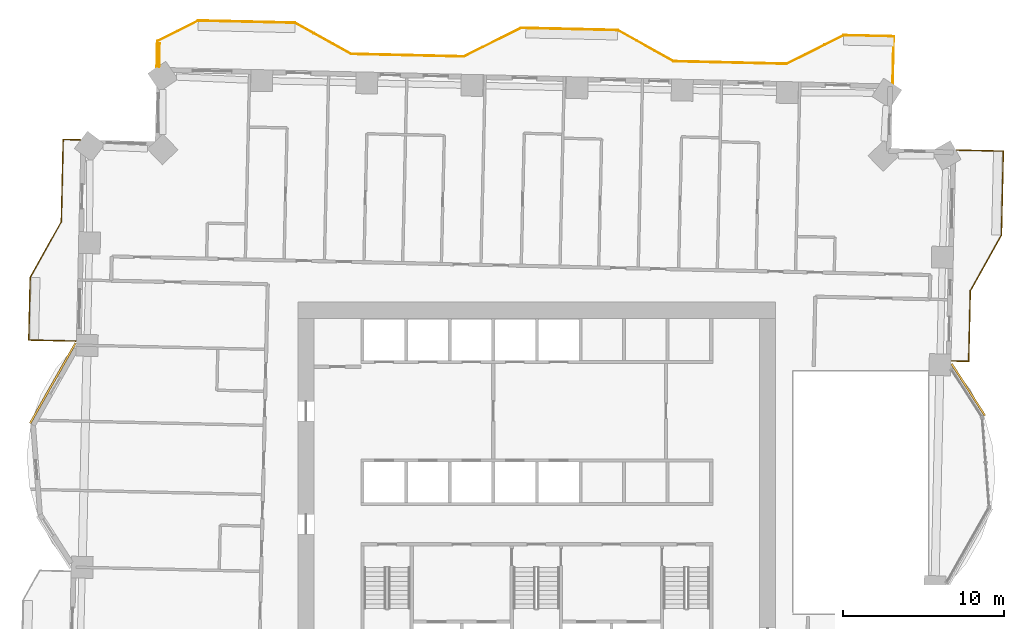
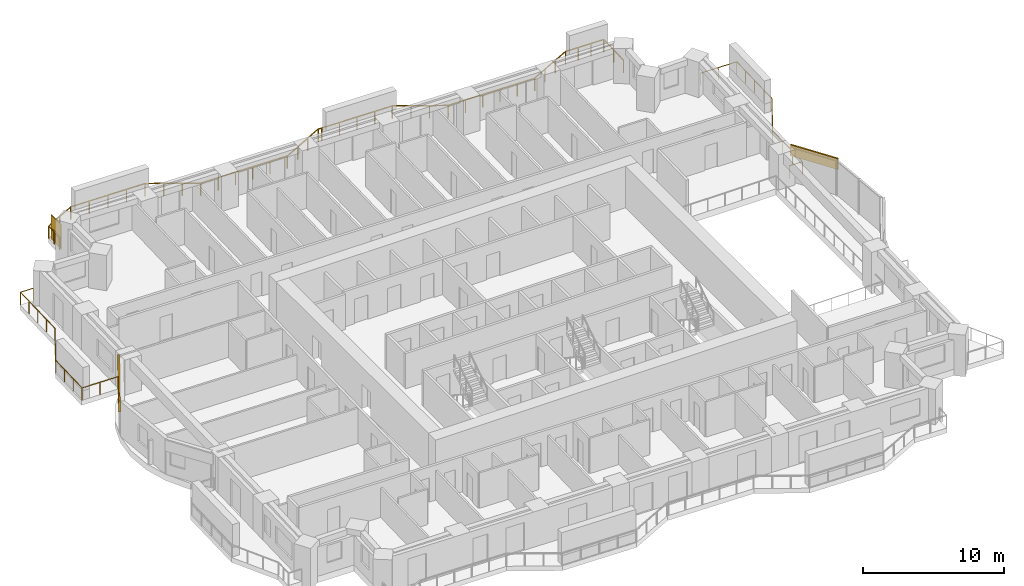
# One storey, part 16 of 16: 3 railings, 2 coverings, 1 shading device.
"""IFC4 building model written with IfcOpenShell, lengths in metres."""

from ifc_helpers import new_model, si_unit, direction, frame, frame_2d, origin, origin_2d, place, context, subcontext, project, spatial, rectangle, extrude, material, layer, layer_set, type_object, element, save


model = new_model("IFC4")

# Units and contexts
model_context = context("Model", 3, precision=1e-05, world=origin(), true_north=direction((0.0, 1.0)))
body_context = subcontext(model_context, "Body", "Model", "MODEL_VIEW")
ifc_project = project(units=[si_unit("LENGTHUNIT", "METRE"), si_unit("AREAUNIT", "SQUARE_METRE"), si_unit("VOLUMEUNIT", "CUBIC_METRE"), si_unit("PLANEANGLEUNIT", "RADIAN"), si_unit("MASSUNIT", "GRAM", prefix="KILO")], contexts=[model_context])

# Site, building, storey
site_placement = place(None, origin())
site = spatial("IfcSite", under=ifc_project, at=site_placement, CompositionType="ELEMENT")
building_placement = place(site_placement, origin())
building = spatial("IfcBuilding", under=site, at=building_placement, Name="Mangrove Gate Tower", CompositionType="ELEMENT")
storey_placement = place(building_placement, frame((0.0, 0.0, 116.300048828125)))
storey = spatial("IfcBuildingStorey", under=building, at=storey_placement, Name="L29", CompositionType="ELEMENT", Elevation=116.300048828125)

# Railings
ifc_material_1 = material(Name="Stainless steel grade 316 with laminated glass infill", Category="steel")
railing_type = type_object("IfcRailingType", Name="Balcony guard 1100", PredefinedType="GUARDRAIL", material=ifc_material_1)
railing_1_placement = place(storey_placement, frame((25.698974609375, 8.157958984375, 0.0)))
element("IfcRailing", 1, at=railing_1_placement, inside=storey, type_object=railing_type, Name="GUARD L29 E2", PredefinedType="GUARDRAIL", context=body_context, shape_type="SweptSolid", body=[
    extrude(rectangle(XDim=0.048095703125, YDim=0.048095703125, at=origin_2d()), frame((0.0, 0.0, 1.076171875), z_axis=(0.999744919731, -0.022585293253, 0.0), x_axis=(0.022585293253, 0.999744919731, 0.0)), (0.0, 0.0, 1.0), 1.059326171875),
    extrude(rectangle(XDim=0.048095703125, YDim=0.048095703125, at=origin_2d()), frame((1.05908203125, -0.02392578125, 1.076171875), z_axis=(0.022827904112, 0.999739409443, 0.0), x_axis=(-0.999739409443, 0.022827904112, 0.0)), (0.0, 0.0, 1.0), 4.374267578125),
    extrude(rectangle(XDim=0.048095703125, YDim=0.048095703125, at=origin_2d()), frame((1.158935546875, 4.34912109375, 1.076171875), z_axis=(0.487307108654, 0.873230657876, 0.0), x_axis=(-0.873230657876, 0.487307108654, 0.0)), (0.0, 0.0, 1.0), 3.958984375),
    extrude(rectangle(XDim=0.048095703125, YDim=0.048095703125, at=origin_2d()), frame((3.088134765625, 7.80615234375, 1.076171875), z_axis=(0.022675548694, 0.99974287669, 0.0), x_axis=(-0.99974287669, 0.022675548694, 0.0)), (0.0, 0.0, 1.0), 5.2001953125),
    extrude(rectangle(XDim=0.048095703125, YDim=0.048095703125, at=origin_2d()), frame((3.2060546875, 13.005126953125, 1.076171875), z_axis=(-0.999743521605, 0.022647097142, 0.0), x_axis=(-0.022647097142, -0.999743521605, 0.0)), (0.0, 0.0, 1.0), 2.91064453125),
    extrude(rectangle(XDim=0.0419921875, YDim=0.0419921875, at=origin_2d()), origin(), (0.0, 0.0, 1.0), 1.052001953125),
    extrude(rectangle(XDim=0.0419921875, YDim=0.0419921875, at=origin_2d()), frame((1.05908203125, -0.02392578125, 0.0)), (0.0, 0.0, 1.0), 1.052001953125),
    extrude(rectangle(XDim=0.0419921875, YDim=0.0419921875, at=origin_2d()), frame((1.09228515625, 1.433837890625, 0.0)), (0.0, 0.0, 1.0), 1.052001953125),
    extrude(rectangle(XDim=0.0419921875, YDim=0.0419921875, at=origin_2d()), frame((1.125732421875, 2.891357421875, 0.0)), (0.0, 0.0, 1.0), 1.052001953125),
    extrude(rectangle(XDim=0.0419921875, YDim=0.0419921875, at=origin_2d()), frame((1.158935546875, 4.34912109375, 0.0)), (0.0, 0.0, 1.0), 1.052001953125),
    extrude(rectangle(XDim=0.0419921875, YDim=0.0419921875, at=origin_2d()), frame((1.802001953125, 5.50146484375, 0.0)), (0.0, 0.0, 1.0), 1.052001953125),
    extrude(rectangle(XDim=0.0419921875, YDim=0.0419921875, at=origin_2d()), frame((2.445068359375, 6.65380859375, 0.0)), (0.0, 0.0, 1.0), 1.052001953125),
    extrude(rectangle(XDim=0.0419921875, YDim=0.0419921875, at=origin_2d()), frame((3.088134765625, 7.80615234375, 0.0)), (0.0, 0.0, 1.0), 1.052001953125),
    extrude(rectangle(XDim=0.0419921875, YDim=0.0419921875, at=origin_2d()), frame((3.11767578125, 9.10595703125, 0.0)), (0.0, 0.0, 1.0), 1.052001953125),
    extrude(rectangle(XDim=0.0419921875, YDim=0.0419921875, at=origin_2d()), frame((3.14697265625, 10.40576171875, 0.0)), (0.0, 0.0, 1.0), 1.052001953125),
    extrude(rectangle(XDim=0.0419921875, YDim=0.0419921875, at=origin_2d()), frame((3.176513671875, 11.705322265625, 0.0)), (0.0, 0.0, 1.0), 1.052001953125),
    extrude(rectangle(XDim=0.0419921875, YDim=0.0419921875, at=origin_2d()), frame((3.2060546875, 13.005126953125, 0.0)), (0.0, 0.0, 1.0), 1.052001953125),
    extrude(rectangle(XDim=0.0419921875, YDim=0.0419921875, at=origin_2d()), frame((1.7509765625, 13.0380859375, 0.0)), (0.0, 0.0, 1.0), 1.052001953125),
    extrude(rectangle(XDim=0.0419921875, YDim=0.0419921875, at=origin_2d()), frame((0.296142578125, 13.071044921875, 0.0)), (0.0, 0.0, 1.0), 1.052001953125),
])
railing_2_placement = place(storey_placement, frame((22.048095703125, 25.360107421875, 0.0)))
element("IfcRailing", 2, at=railing_2_placement, inside=storey, type_object=railing_type, Name="GUARD L29 N1", PredefinedType="GUARDRAIL", context=body_context, shape_type="SweptSolid", body=[
    extrude(rectangle(XDim=0.048095703125, YDim=0.048095703125, at=origin_2d()), frame((0.0, 0.0, 1.076171875), z_axis=(0.022654696127, 0.999743349437, 0.0), x_axis=(-0.999743349437, 0.022654696127, 0.0)), (0.0, 0.0, 1.0), 2.90966796875),
    extrude(rectangle(XDim=0.048095703125, YDim=0.048095703125, at=origin_2d()), frame((0.06591796875, 2.908935546875, 1.076171875), z_axis=(-0.999745154684, 0.02257489059, 0.0), x_axis=(-0.02257489059, -0.999745154684, 0.0)), (0.0, 0.0, 1.0), 3.103759765625),
    extrude(rectangle(XDim=0.048095703125, YDim=0.048095703125, at=origin_2d()), frame((-3.037109375, 2.97900390625, 1.076171875), z_axis=(-0.894476522376, -0.447114919141, 0.0), x_axis=(0.447114919141, -0.894476522376, 0.0)), (0.0, 0.0, 1.0), 3.958740234375),
    extrude(rectangle(XDim=0.048095703125, YDim=0.048095703125, at=origin_2d()), frame((-6.578125, 1.208984375, 1.076171875), z_axis=(-0.999742267452, 0.022702393474, 0.0), x_axis=(-0.022702393474, -0.999742267452, 0.0)), (0.0, 0.0, 1.0), 7.000732421875),
    extrude(rectangle(XDim=0.048095703125, YDim=0.048095703125, at=origin_2d()), frame((-13.5771484375, 1.367919921875, 1.076171875), z_axis=(-0.87325689943, 0.48726008209, 0.0), x_axis=(-0.48726008209, -0.87325689943, 0.0)), (0.0, 0.0, 1.0), 3.958740234375),
    extrude(rectangle(XDim=0.048095703125, YDim=0.048095703125, at=origin_2d()), frame((-17.0341796875, 3.296875, 1.076171875), z_axis=(-0.999744196375, 0.022617290187, 0.0), x_axis=(-0.022617290187, -0.999744196375, 0.0)), (0.0, 0.0, 1.0), 5.699462890625),
    extrude(rectangle(XDim=0.048095703125, YDim=0.048095703125, at=origin_2d()), frame((-22.732177734375, 3.42578125, 1.076171875), z_axis=(-0.999721267469, 0.023609052733, 0.0), x_axis=(-0.023609052733, -0.999721267469, 0.0)), (0.0, 0.0, 1.0), 0.2998046875),
    extrude(rectangle(XDim=0.048095703125, YDim=0.048095703125, at=origin_2d()), frame((-23.031982421875, 3.432861328125, 1.076171875), z_axis=(-0.894476522376, -0.447114919141, 0.0), x_axis=(0.447114919141, -0.894476522376, 0.0)), (0.0, 0.0, 1.0), 3.958740234375),
    extrude(rectangle(XDim=0.048095703125, YDim=0.048095703125, at=origin_2d()), frame((-26.572998046875, 1.662841796875, 1.076171875), z_axis=(-0.999742195543, 0.022705559911, 0.0), x_axis=(-0.022705559911, -0.999742195543, 0.0)), (0.0, 0.0, 1.0), 6.999755859375),
    extrude(rectangle(XDim=0.048095703125, YDim=0.048095703125, at=origin_2d()), frame((-33.571044921875, 1.82177734375, 1.076171875), z_axis=(-0.873289216505, 0.487202159618, 0.0), x_axis=(-0.487202159618, -0.873289216505, 0.0)), (0.0, 0.0, 1.0), 3.959716796875),
    extrude(rectangle(XDim=0.048095703125, YDim=0.048095703125, at=origin_2d()), frame((-37.029052734375, 3.7509765625, 1.076171875), z_axis=(-0.999743094499, 0.022665943652, 0.0), x_axis=(-0.022665943652, -0.999743094499, 0.0)), (0.0, 0.0, 1.0), 5.99951171875),
    extrude(rectangle(XDim=0.048095703125, YDim=0.048095703125, at=origin_2d()), frame((-43.027099609375, 3.886962890625, 1.076171875), z_axis=(-0.894340972845, -0.447385990271, 0.0), x_axis=(0.447385990271, -0.894340972845, 0.0)), (0.0, 0.0, 1.0), 2.832275390625),
    extrude(rectangle(XDim=0.048095703125, YDim=0.048095703125, at=origin_2d()), frame((-45.56005859375, 2.619873046875, 1.076171875), z_axis=(-0.022777340407, -0.999740562728, 0.0), x_axis=(0.999740562728, -0.022777340407, 0.0)), (0.0, 0.0, 1.0), 1.58642578125),
    extrude(rectangle(XDim=0.0419921875, YDim=0.0419921875, at=origin_2d()), origin(), (0.0, 0.0, 1.0), 1.052001953125),
    extrude(rectangle(XDim=0.0419921875, YDim=0.0419921875, at=origin_2d()), frame((0.032958984375, 1.45458984375, 0.0)), (0.0, 0.0, 1.0), 1.052001953125),
    extrude(rectangle(XDim=0.0419921875, YDim=0.0419921875, at=origin_2d()), frame((0.06591796875, 2.908935546875, 0.0)), (0.0, 0.0, 1.0), 1.052001953125),
    extrude(rectangle(XDim=0.0419921875, YDim=0.0419921875, at=origin_2d()), frame((-0.968505859375, 2.932373046875, 0.0)), (0.0, 0.0, 1.0), 1.052001953125),
    extrude(rectangle(XDim=0.0419921875, YDim=0.0419921875, at=origin_2d()), frame((-2.002685546875, 2.95556640625, 0.0)), (0.0, 0.0, 1.0), 1.052001953125),
    extrude(rectangle(XDim=0.0419921875, YDim=0.0419921875, at=origin_2d()), frame((-3.037109375, 2.97900390625, 0.0)), (0.0, 0.0, 1.0), 1.052001953125),
    extrude(rectangle(XDim=0.0419921875, YDim=0.0419921875, at=origin_2d()), frame((-4.217529296875, 2.388916015625, 0.0)), (0.0, 0.0, 1.0), 1.052001953125),
    extrude(rectangle(XDim=0.0419921875, YDim=0.0419921875, at=origin_2d()), frame((-5.397705078125, 1.799072265625, 0.0)), (0.0, 0.0, 1.0), 1.052001953125),
    extrude(rectangle(XDim=0.0419921875, YDim=0.0419921875, at=origin_2d()), frame((-6.578125, 1.208984375, 0.0)), (0.0, 0.0, 1.0), 1.052001953125),
    extrude(rectangle(XDim=0.0419921875, YDim=0.0419921875, at=origin_2d()), frame((-7.97802734375, 1.24072265625, 0.0)), (0.0, 0.0, 1.0), 1.052001953125),
    extrude(rectangle(XDim=0.0419921875, YDim=0.0419921875, at=origin_2d()), frame((-9.377685546875, 1.2724609375, 0.0)), (0.0, 0.0, 1.0), 1.052001953125),
    extrude(rectangle(XDim=0.0419921875, YDim=0.0419921875, at=origin_2d()), frame((-10.777587890625, 1.304443359375, 0.0)), (0.0, 0.0, 1.0), 1.052001953125),
    extrude(rectangle(XDim=0.0419921875, YDim=0.0419921875, at=origin_2d()), frame((-12.17724609375, 1.336181640625, 0.0)), (0.0, 0.0, 1.0), 1.052001953125),
    extrude(rectangle(XDim=0.0419921875, YDim=0.0419921875, at=origin_2d()), frame((-13.5771484375, 1.367919921875, 0.0)), (0.0, 0.0, 1.0), 1.052001953125),
    extrude(rectangle(XDim=0.0419921875, YDim=0.0419921875, at=origin_2d()), frame((-14.7294921875, 2.010986328125, 0.0)), (0.0, 0.0, 1.0), 1.052001953125),
    extrude(rectangle(XDim=0.0419921875, YDim=0.0419921875, at=origin_2d()), frame((-15.8818359375, 2.65380859375, 0.0)), (0.0, 0.0, 1.0), 1.052001953125),
    extrude(rectangle(XDim=0.0419921875, YDim=0.0419921875, at=origin_2d()), frame((-17.0341796875, 3.296875, 0.0)), (0.0, 0.0, 1.0), 1.052001953125),
    extrude(rectangle(XDim=0.0419921875, YDim=0.0419921875, at=origin_2d()), frame((-18.458740234375, 3.3291015625, 0.0)), (0.0, 0.0, 1.0), 1.052001953125),
    extrude(rectangle(XDim=0.0419921875, YDim=0.0419921875, at=origin_2d()), frame((-19.88330078125, 3.361328125, 0.0)), (0.0, 0.0, 1.0), 1.052001953125),
    extrude(rectangle(XDim=0.0419921875, YDim=0.0419921875, at=origin_2d()), frame((-21.3076171875, 3.3935546875, 0.0)), (0.0, 0.0, 1.0), 1.052001953125),
    extrude(rectangle(XDim=0.0419921875, YDim=0.0419921875, at=origin_2d()), frame((-22.732177734375, 3.42578125, 0.0)), (0.0, 0.0, 1.0), 1.052001953125),
    extrude(rectangle(XDim=0.0419921875, YDim=0.0419921875, at=origin_2d()), frame((-23.031982421875, 3.432861328125, 0.0)), (0.0, 0.0, 1.0), 1.052001953125),
    extrude(rectangle(XDim=0.0419921875, YDim=0.0419921875, at=origin_2d()), frame((-24.21240234375, 2.8427734375, 0.0)), (0.0, 0.0, 1.0), 1.052001953125),
    extrude(rectangle(XDim=0.0419921875, YDim=0.0419921875, at=origin_2d()), frame((-25.392578125, 2.2529296875, 0.0)), (0.0, 0.0, 1.0), 1.052001953125),
    extrude(rectangle(XDim=0.0419921875, YDim=0.0419921875, at=origin_2d()), frame((-26.572998046875, 1.662841796875, 0.0)), (0.0, 0.0, 1.0), 1.052001953125),
    extrude(rectangle(XDim=0.0419921875, YDim=0.0419921875, at=origin_2d()), frame((-27.97265625, 1.694580078125, 0.0)), (0.0, 0.0, 1.0), 1.052001953125),
    extrude(rectangle(XDim=0.0419921875, YDim=0.0419921875, at=origin_2d()), frame((-29.372314453125, 1.726318359375, 0.0)), (0.0, 0.0, 1.0), 1.052001953125),
    extrude(rectangle(XDim=0.0419921875, YDim=0.0419921875, at=origin_2d()), frame((-30.771728515625, 1.75830078125, 0.0)), (0.0, 0.0, 1.0), 1.052001953125),
    extrude(rectangle(XDim=0.0419921875, YDim=0.0419921875, at=origin_2d()), frame((-32.17138671875, 1.7900390625, 0.0)), (0.0, 0.0, 1.0), 1.052001953125),
    extrude(rectangle(XDim=0.0419921875, YDim=0.0419921875, at=origin_2d()), frame((-33.571044921875, 1.82177734375, 0.0)), (0.0, 0.0, 1.0), 1.052001953125),
    extrude(rectangle(XDim=0.0419921875, YDim=0.0419921875, at=origin_2d()), frame((-34.7236328125, 2.46484375, 0.0)), (0.0, 0.0, 1.0), 1.052001953125),
    extrude(rectangle(XDim=0.0419921875, YDim=0.0419921875, at=origin_2d()), frame((-35.87646484375, 3.10791015625, 0.0)), (0.0, 0.0, 1.0), 1.052001953125),
    extrude(rectangle(XDim=0.0419921875, YDim=0.0419921875, at=origin_2d()), frame((-37.029052734375, 3.7509765625, 0.0)), (0.0, 0.0, 1.0), 1.052001953125),
    extrude(rectangle(XDim=0.0419921875, YDim=0.0419921875, at=origin_2d()), frame((-38.528564453125, 3.784912109375, 0.0)), (0.0, 0.0, 1.0), 1.052001953125),
    extrude(rectangle(XDim=0.0419921875, YDim=0.0419921875, at=origin_2d()), frame((-40.028076171875, 3.81884765625, 0.0)), (0.0, 0.0, 1.0), 1.052001953125),
    extrude(rectangle(XDim=0.0419921875, YDim=0.0419921875, at=origin_2d()), frame((-41.527587890625, 3.85302734375, 0.0)), (0.0, 0.0, 1.0), 1.052001953125),
    extrude(rectangle(XDim=0.0419921875, YDim=0.0419921875, at=origin_2d()), frame((-43.027099609375, 3.886962890625, 0.0)), (0.0, 0.0, 1.0), 1.052001953125),
    extrude(rectangle(XDim=0.0419921875, YDim=0.0419921875, at=origin_2d()), frame((-44.29345703125, 3.25341796875, 0.0)), (0.0, 0.0, 1.0), 1.052001953125),
    extrude(rectangle(XDim=0.0419921875, YDim=0.0419921875, at=origin_2d()), frame((-45.56005859375, 2.619873046875, 0.0)), (0.0, 0.0, 1.0), 1.052001953125),
    extrude(rectangle(XDim=0.0419921875, YDim=0.0419921875, at=origin_2d()), frame((-45.578125, 1.826904296875, 0.0)), (0.0, 0.0, 1.0), 1.052001953125),
    extrude(rectangle(XDim=0.0419921875, YDim=0.0419921875, at=origin_2d()), frame((-45.59619140625, 1.033935546875, 0.0)), (0.0, 0.0, 1.0), 1.052001953125),
])
railing_3_placement = place(storey_placement, frame((-28.2919921875, 21.861083984375, 0.0)))
element("IfcRailing", 3, at=railing_3_placement, inside=storey, type_object=railing_type, Name="GUARD L29 W1", PredefinedType="GUARDRAIL", context=body_context, shape_type="SweptSolid", body=[
    extrude(rectangle(XDim=0.048095703125, YDim=0.048095703125, at=origin_2d()), frame((0.0, 0.0, 1.076171875), z_axis=(-0.999745389313, 0.022564497502, 0.0), x_axis=(-0.022564497502, -0.999745389313, 0.0)), (0.0, 0.0, 1.0), 1.060302734375),
    extrude(rectangle(XDim=0.048095703125, YDim=0.048095703125, at=origin_2d()), frame((-1.06005859375, 0.02392578125, 1.076171875), z_axis=(-0.022736627765, -0.999741489465, 0.0), x_axis=(0.999741489465, -0.022736627765, 0.0)), (0.0, 0.0, 1.0), 5.100341796875),
    extrude(rectangle(XDim=0.048095703125, YDim=0.048095703125, at=origin_2d()), frame((-1.176025390625, -5.0751953125, 1.076171875), z_axis=(-0.487286324359, -0.873242256246, 0.0), x_axis=(0.873242256246, -0.487286324359, 0.0)), (0.0, 0.0, 1.0), 3.95849609375),
    extrude(rectangle(XDim=0.048095703125, YDim=0.048095703125, at=origin_2d()), frame((-3.10498046875, -8.531982421875, 1.076171875), z_axis=(-0.022744303924, -0.999741314861, 0.0), x_axis=(0.999741314861, -0.022744303924, 0.0)), (0.0, 0.0, 1.0), 3.875),
    extrude(rectangle(XDim=0.048095703125, YDim=0.048095703125, at=origin_2d()), frame((-3.193115234375, -12.406005859375, 1.076171875), z_axis=(0.999741662318, -0.022729026048, 0.0), x_axis=(0.022729026048, 0.999741662318, 0.0)), (0.0, 0.0, 1.0), 2.910888671875),
    extrude(rectangle(XDim=0.0419921875, YDim=0.0419921875, at=origin_2d()), origin(), (0.0, 0.0, 1.0), 1.052001953125),
    extrude(rectangle(XDim=0.0419921875, YDim=0.0419921875, at=origin_2d()), frame((-1.06005859375, 0.02392578125, 0.0)), (0.0, 0.0, 1.0), 1.052001953125),
    extrude(rectangle(XDim=0.0419921875, YDim=0.0419921875, at=origin_2d()), frame((-1.089111328125, -1.2509765625, 0.0)), (0.0, 0.0, 1.0), 1.052001953125),
    extrude(rectangle(XDim=0.0419921875, YDim=0.0419921875, at=origin_2d()), frame((-1.1181640625, -2.525634765625, 0.0)), (0.0, 0.0, 1.0), 1.052001953125),
    extrude(rectangle(XDim=0.0419921875, YDim=0.0419921875, at=origin_2d()), frame((-1.14697265625, -3.80029296875, 0.0)), (0.0, 0.0, 1.0), 1.052001953125),
    extrude(rectangle(XDim=0.0419921875, YDim=0.0419921875, at=origin_2d()), frame((-1.176025390625, -5.0751953125, 0.0)), (0.0, 0.0, 1.0), 1.052001953125),
    extrude(rectangle(XDim=0.0419921875, YDim=0.0419921875, at=origin_2d()), frame((-1.819091796875, -6.2275390625, 0.0)), (0.0, 0.0, 1.0), 1.052001953125),
    extrude(rectangle(XDim=0.0419921875, YDim=0.0419921875, at=origin_2d()), frame((-2.4619140625, -7.379638671875, 0.0)), (0.0, 0.0, 1.0), 1.052001953125),
    extrude(rectangle(XDim=0.0419921875, YDim=0.0419921875, at=origin_2d()), frame((-3.10498046875, -8.531982421875, 0.0)), (0.0, 0.0, 1.0), 1.052001953125),
    extrude(rectangle(XDim=0.0419921875, YDim=0.0419921875, at=origin_2d()), frame((-3.13427734375, -9.8232421875, 0.0)), (0.0, 0.0, 1.0), 1.052001953125),
    extrude(rectangle(XDim=0.0419921875, YDim=0.0419921875, at=origin_2d()), frame((-3.163818359375, -11.11474609375, 0.0)), (0.0, 0.0, 1.0), 1.052001953125),
    extrude(rectangle(XDim=0.0419921875, YDim=0.0419921875, at=origin_2d()), frame((-3.193115234375, -12.406005859375, 0.0)), (0.0, 0.0, 1.0), 1.052001953125),
    extrude(rectangle(XDim=0.0419921875, YDim=0.0419921875, at=origin_2d()), frame((-1.738037109375, -12.43896484375, 0.0)), (0.0, 0.0, 1.0), 1.052001953125),
    extrude(rectangle(XDim=0.0419921875, YDim=0.0419921875, at=origin_2d()), frame((-0.282958984375, -12.47216796875, 0.0)), (0.0, 0.0, 1.0), 1.052001953125),
])

# Shading device
ifc_material_2 = material(Name="Timber slat screen in teak", Category="wood")
shading_device_type = type_object("IfcShadingDeviceType", Name="Balcony screen 2100", PredefinedType="USERDEFINED", material=ifc_material_2)
shading_device_placement = place(storey_placement, frame((-23.39208984375, 27.10400390625, 0.0), z_axis=(0.0, 0.0, 1.0), x_axis=(0.022809475005, 0.999739830081, 0.0)))
element("IfcShadingDevice", 4, at=shading_device_placement, inside=storey, type_object=shading_device_type, Name="SCREEN L29 N1", ObjectType="SCREEN", PredefinedType="USERDEFINED", context=body_context, shape_type="SweptSolid", body=[
    extrude(rectangle(XDim=1.466064453125, YDim=0.050048828125, at=origin_2d()), origin(), (0.0, 0.0, 1.0), 2.10009765625),
])

# Coverings
ifc_material_3 = material(Name="Limestone", Category="masonry")
ifc_layer_1 = layer(ifc_material_3, 0.0400390625, Name="Limestone cladding")
ifc_material_4 = material(Name="Stainless steel anchors and cavity", Category="steel")
ifc_layer_2 = layer(ifc_material_4, 0.080078125, Name="Fixing cavity")
ifc_layer_set = layer_set([ifc_layer_1, ifc_layer_2], Name="Joint fascia cladding 120")
covering_type = type_object("IfcCoveringType", Name="Joint fascia cladding 120", PredefinedType="CLADDING", material=ifc_layer_set)
covering_1_placement = place(storey_placement, frame((27.762939453125, 4.77392578125, 2.099853515625), z_axis=(0.0, 0.0, 1.0), x_axis=(-0.540457066708, 0.841371593914, 0.0)))
element("IfcCovering", 5, at=covering_1_placement, inside=storey, type_object=covering_type, Name="STONE FASCIA L29 E1.L2", PredefinedType="CLADDING", context=body_context, shape_type="SweptSolid", body=[
    extrude(rectangle(XDim=3.81884765625, YDim=0.1201171875, at=frame_2d((1.909423828125, 0.0))), origin(), (0.0, 0.0, 1.0), 0.9501953125),
])
covering_2_placement = place(storey_placement, frame((-28.588134765625, 9.264892578125, 2.099853515625), z_axis=(0.0, 0.0, 1.0), x_axis=(-0.492461862622, -0.870334024305, 0.0)))
element("IfcCovering", 6, at=covering_2_placement, inside=storey, type_object=covering_type, Name="STONE FASCIA L29 W9.L1", PredefinedType="CLADDING", context=body_context, shape_type="SweptSolid", body=[
    extrude(rectangle(XDim=5.70556640625, YDim=0.1201171875, at=frame_2d((2.852783203125, 0.0))), origin(), (0.0, 0.0, 1.0), 0.9501953125),
])

save(model, "model.ifc")
